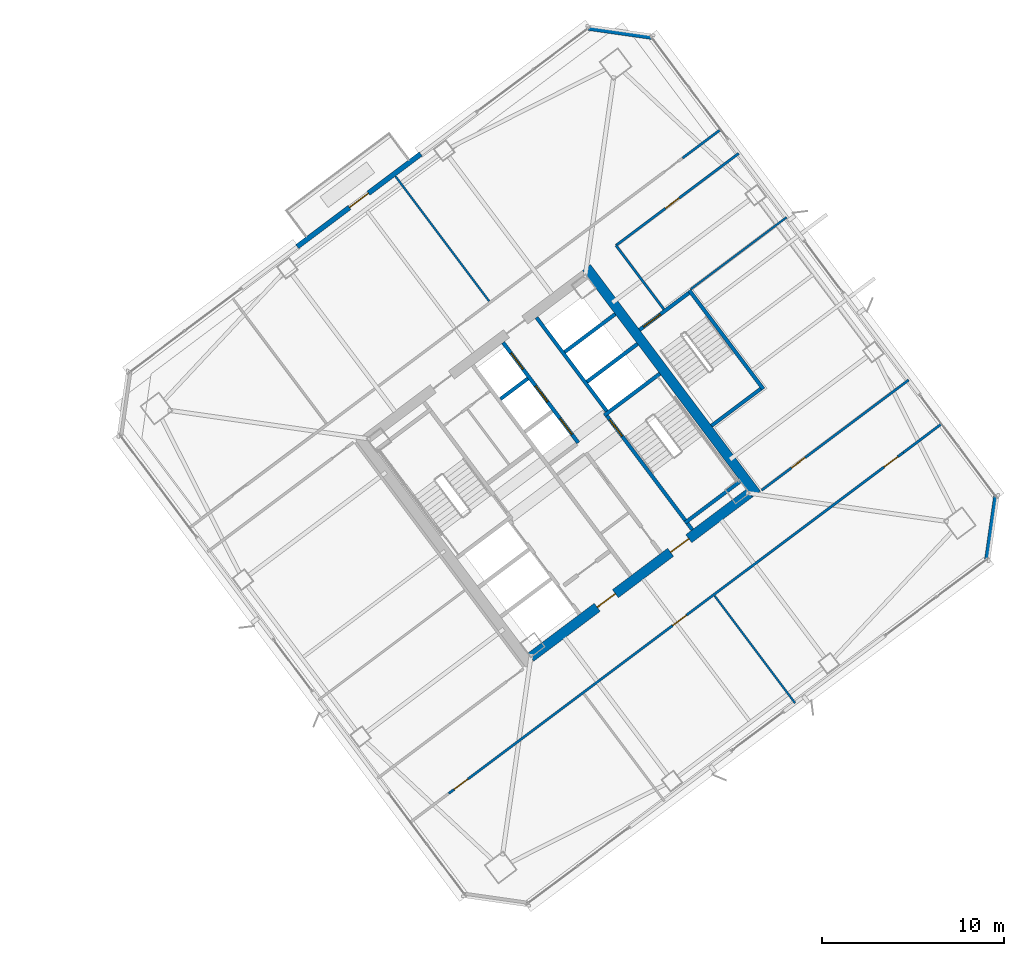
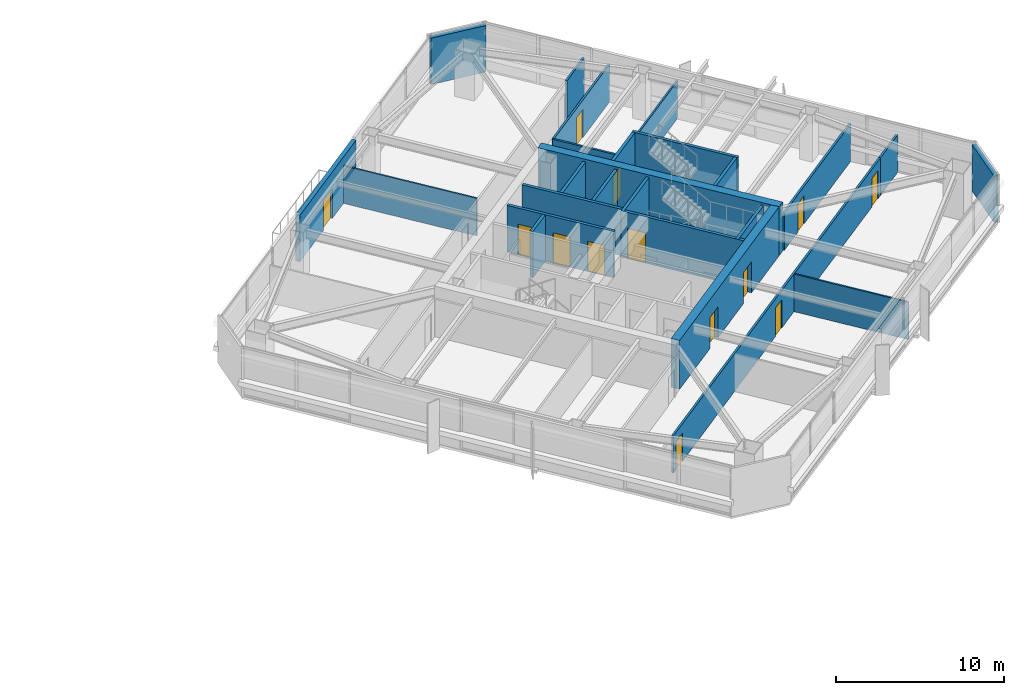
# One storey, part 39 of 48: 25 walls, 13 doors, 13 openings.
"""IFC4 building model written with IfcOpenShell, lengths in metres."""

from ifc_helpers import new_model, si_unit, direction, frame, frame_2d, origin, place, context, subcontext, project, spatial, rectangle, extrude, material, layer, layer_set, type_object, element, fill, save


model = new_model("IFC4")

# Units and contexts
model_context = context("Model", 3, precision=1e-05, world=origin(), true_north=direction((0.0, 1.0)))
body_context = subcontext(model_context, "Body", "Model", "MODEL_VIEW")
ifc_project = project(units=[si_unit("LENGTHUNIT", "METRE"), si_unit("AREAUNIT", "SQUARE_METRE"), si_unit("VOLUMEUNIT", "CUBIC_METRE"), si_unit("PLANEANGLEUNIT", "RADIAN"), si_unit("MASSUNIT", "GRAM", prefix="KILO")], contexts=[model_context])

# Site, building, storey
site_placement = place(None, origin())
site = spatial("IfcSite", under=ifc_project, at=site_placement, CompositionType="ELEMENT")
building_placement = place(site_placement, origin())
building = spatial("IfcBuilding", under=site, at=building_placement, Name="Tashvorn Skyway Center", CompositionType="ELEMENT")
storey_placement = place(building_placement, frame((0.0, 0.0, 125.050048828125)))
storey = spatial("IfcBuildingStorey", under=building, at=storey_placement, Name="L33", CompositionType="ELEMENT", Elevation=125.050048828125)

# Wall
ifc_material_1 = material(Name="Concrete C60/75", Category="concrete")
ifc_layer_1 = layer(ifc_material_1, 0.550048828125)
ifc_layer_set_1 = layer_set([ifc_layer_1], Name="Concrete C60/75")
wall_type_1 = type_object("IfcWallType", Name="WALL-CORE-550", PredefinedType="SHEAR", material=ifc_layer_set_1)
wall_1_placement = place(storey_placement, frame((115.56396484375, 42.923095703125, 0.0), z_axis=(0.0, 0.0, 1.0), x_axis=(0.600005007985, -0.799996243986, 0.0)))
element("IfcWall", 1, at=wall_1_placement, inside=storey, type_object=wall_type_1, Name="Tower 2 L33 East Core Shear Wall", PredefinedType="SHEAR", context=body_context, shape_type="SweptSolid", body=[
    extrude(rectangle(XDim=15.60009765625, YDim=0.550048828125, at=frame_2d((7.800048828125, 0.0))), origin(), (0.0, 0.0, 1.0), 3.550048828125),
])

# Wall, openings, doors
wall_2_placement = place(storey_placement, frame((124.5390625, 30.498046875, 0.0), z_axis=(0.0, 0.0, 1.0), x_axis=(-0.799998054672, -0.600002593761, 0.0)))
wall_2 = element("IfcWall", 2, at=wall_2_placement, inside=storey, type_object=wall_type_1, Name="Tower 2 L33 South Core Shear Wall", PredefinedType="SHEAR", context=body_context, shape_type="SweptSolid", body=[
    extrude(rectangle(XDim=15.06005859375, YDim=0.550048828125, at=frame_2d((7.530029296875, 0.0))), origin(), (0.0, 0.0, 1.0), 3.550048828125),
])
opening_1_placement = place(wall_2_placement, frame((9.22998046875, 0.0, 0.0)))
opening_1 = element("IfcOpeningElement", 3, at=opening_1_placement, cuts=wall_2, Name="Opening D-FFL-1250", PredefinedType="OPENING", context=body_context, shape_type="SweptSolid", body=[
    extrude(rectangle(XDim=1.25, YDim=2.25, at=frame_2d((0.625, 1.125))), frame((0.0, 0.284912109375, 0.0), z_axis=(0.0, -1.0, 0.0), x_axis=(1.0, 0.0, 0.0)), (0.0, 0.0, 1.0), 0.570068359375),
])
opening_2_placement = place(wall_2_placement, frame((4.179931640625, 0.0, 0.0)))
opening_2 = element("IfcOpeningElement", 4, at=opening_2_placement, cuts=wall_2, Name="Opening D-FFL-1250", PredefinedType="OPENING", context=body_context, shape_type="SweptSolid", body=[
    extrude(rectangle(XDim=1.25, YDim=2.25, at=frame_2d((0.625, 1.125))), frame((0.0, 0.284912109375, 0.0), z_axis=(0.0, -1.0, 0.0), x_axis=(1.0, 0.0, 0.0)), (0.0, 0.0, 1.0), 0.570068359375),
])
ifc_material_2 = material(Name="Hollow galvanized steel fire door assembly", Category="steel")
door_type_1 = type_object("IfcDoorType", Name="DOOR-FFL-1250", OperationType="NOTDEFINED", PredefinedType="DOOR", material=ifc_material_2)
door_1_placement = place(opening_1_placement, origin())
door_1 = element("IfcDoor", 5, at=door_1_placement, inside=storey, type_object=door_type_1, Name="Tower 2 L33 Core South Firefighting Exit Door", OperationType="SINGLE_SWING_LEFT", OverallHeight=2.25, OverallWidth=1.25, PredefinedType="DOOR", context=body_context, shape_type="SweptSolid", body=[
    extrude(rectangle(XDim=1.25, YDim=2.25, at=frame_2d((0.625, 1.125))), frame((0.0, 0.02490234375, 0.0), z_axis=(0.0, -1.0, 0.0), x_axis=(1.0, 0.0, 0.0)), (0.0, 0.0, 1.0), 0.050048828125),
])
fill(opening_1, door_1)
door_2_placement = place(opening_2_placement, origin())
door_2 = element("IfcDoor", 6, at=door_2_placement, inside=storey, type_object=door_type_1, Name="Tower 2 L33 Core South Lift Lobby Door", OperationType="SINGLE_SWING_RIGHT", OverallHeight=2.25, OverallWidth=1.25, PredefinedType="DOOR", context=body_context, shape_type="SweptSolid", body=[
    extrude(rectangle(XDim=1.25, YDim=2.25, at=frame_2d((0.625, 1.125))), frame((0.0, 0.02490234375, 0.0), z_axis=(0.0, -1.0, 0.0), x_axis=(1.0, 0.0, 0.0)), (0.0, 0.0, 1.0), 0.050048828125),
])
fill(opening_2, door_2)

# Wall, opening, door
ifc_material_3 = material(Name="Precast concrete C40/50", Category="concrete")
ifc_layer_2 = layer(ifc_material_3, 0.280029296875)
ifc_layer_set_2 = layer_set([ifc_layer_2], Name="Precast concrete C40/50")
wall_type_2 = type_object("IfcWallType", Name="WALL-EXT-280", PredefinedType="SOLIDWALL", material=ifc_layer_set_2)
wall_3_placement = place(storey_placement, frame((99.632080078125, 44.073974609375, 0.0), z_axis=(0.0, 0.0, 1.0), x_axis=(0.799986212866, 0.600018382406, 0.0)))
wall_3 = element("IfcWall", 7, at=wall_3_placement, inside=storey, type_object=wall_type_2, Name="Tower 2 L33 North Terrace Portal Wall", PredefinedType="SOLIDWALL", context=body_context, shape_type="SweptSolid", body=[
    extrude(rectangle(XDim=8.5, YDim=0.280029296875, at=frame_2d((4.25, 0.0))), origin(), (0.0, 0.0, 1.0), 3.369873046875),
])
opening_3_placement = place(wall_3_placement, frame((3.60009765625, 0.0, 0.0)))
opening_3 = element("IfcOpeningElement", 8, at=opening_3_placement, cuts=wall_3, Name="Opening D-TER-1300", PredefinedType="OPENING", context=body_context, shape_type="SweptSolid", body=[
    extrude(rectangle(XDim=1.300048828125, YDim=2.14990234375, at=frame_2d((0.64990234375, 1.074951171875))), frame((0.0, 0.14990234375, 0.0), z_axis=(0.0, -1.0, 0.0), x_axis=(1.0, 0.0, 0.0)), (0.0, 0.0, 1.0), 0.300048828125),
])
ifc_material_4 = material(Name="Thermally broken bronze-anodized aluminium 6063-T6", Category="aluminium")
door_type_2 = type_object("IfcDoorType", Name="DOOR-TERR-1300", OperationType="NOTDEFINED", PredefinedType="DOOR", material=ifc_material_4)
door_3_placement = place(opening_3_placement, origin())
door_3 = element("IfcDoor", 9, at=door_3_placement, inside=storey, type_object=door_type_2, Name="Tower 2 L33 Terrace Access Door", OperationType="SINGLE_SWING_RIGHT", OverallHeight=2.14990234375, OverallWidth=1.300048828125, PredefinedType="DOOR", context=body_context, shape_type="SweptSolid", body=[
    extrude(rectangle(XDim=1.300048828125, YDim=2.14990234375, at=frame_2d((0.64990234375, 1.074951171875))), frame((0.0, 0.02490234375, 0.0), z_axis=(0.0, -1.0, 0.0), x_axis=(1.0, 0.0, 0.0)), (0.0, 0.0, 1.0), 0.050048828125),
])
fill(opening_3, door_3)

# Walls
for number, where, z_axis, x_axis, name in (
    (10, (115.659912109375, 56.1201171875, 0.0), (0.0, 0.0, 1.0), (0.989949493661, -0.141421356237, 0.0), "Tower 2 L33 NE Precast Chamfer Wall"),
    (11, (138.1201171875, 30.340087890625, 0.0), (0.0, 0.0, 1.0), (-0.141421356237, -0.989949493661, 0.0), "Tower 2 L33 SE Precast Chamfer Wall"),
):
    element("IfcWall", number, at=place(storey_placement, frame(where, z_axis=z_axis, x_axis=x_axis)), inside=storey, type_object=wall_type_2, Name=name, PredefinedType="SOLIDWALL", context=body_context, shape_type="SweptSolid", body=[
        extrude(rectangle(XDim=3.53564453125, YDim=0.280029296875, at=frame_2d((1.767822265625, 0.0))), origin(), (0.0, 0.0, 1.0), 3.369873046875),
    ])
ifc_material_5 = material(Name="Gypsum board on cold-formed steel stud framing", Category="steel")
ifc_layer_3 = layer(ifc_material_5, 0.110107421875)
ifc_layer_set_3 = layer_set([ifc_layer_3], Name="Gypsum board on cold-formed steel stud framing")
wall_type_3 = type_object("IfcWallType", Name="WALL-PART-110", PredefinedType="PARTITIONING", material=ifc_layer_set_3)
wall_4_placement = place(storey_placement, frame((110.201904296875, 41.06396484375, 0.0), z_axis=(0.0, 0.0, 1.0), x_axis=(-0.599986373537, 0.800010219666, 0.0)))
element("IfcWall", 12, at=wall_4_placement, inside=storey, type_object=wall_type_3, Name="Tower 2 L33 North Suite Partition 2", PredefinedType="PARTITIONING", context=body_context, shape_type="SweptSolid", body=[
    extrude(rectangle(XDim=8.60009765625, YDim=0.110107421875, at=frame_2d((4.300048828125, 0.0))), origin(), (0.0, 0.0, 1.0), 2.722900390625),
])
wall_5_placement = place(storey_placement, frame((127.048095703125, 18.93603515625, 0.0), z_axis=(0.0, 0.0, 1.0), x_axis=(-0.599994706986, 0.800003969733, 0.0)))
element("IfcWall", 13, at=wall_5_placement, inside=storey, type_object=wall_type_3, Name="Tower 2 L33 South Suite Partition 2", PredefinedType="PARTITIONING", context=body_context, shape_type="SweptSolid", body=[
    extrude(rectangle(XDim=7.380126953125, YDim=0.110107421875, at=frame_2d((3.68994140625, 0.0))), origin(), (0.0, 0.0, 1.0), 2.722900390625),
])
wall_6_placement = place(storey_placement, frame((126.583984375, 45.68798828125, 0.0), z_axis=(0.0, 0.0, 1.0), x_axis=(-0.800004438899, -0.599994081423, 0.0)))
element("IfcWall", 14, at=wall_6_placement, inside=storey, type_object=wall_type_3, Name="Tower 2 L33 East Suite Partition 1", PredefinedType="PARTITIONING", context=body_context, shape_type="SweptSolid", body=[
    extrude(rectangle(XDim=6.60009765625, YDim=0.110107421875, at=frame_2d((3.300048828125, 0.0))), origin(), (0.0, 0.0, 1.0), 2.722900390625),
])
ifc_layer_4 = layer(ifc_material_5, 0.135009765625)
ifc_layer_set_4 = layer_set([ifc_layer_4], Name="Gypsum board on cold-formed steel stud framing")
wall_type_4 = type_object("IfcWallType", Name="WALL-PART-135", PredefinedType="PARTITIONING", material=ifc_layer_set_4)
wall_7_placement = place(storey_placement, frame((119.823974609375, 40.617919921875, 0.0), z_axis=(0.0, 0.0, 1.0), x_axis=(-0.599982243973, 0.800013316712, 0.0)))
element("IfcWall", 15, at=wall_7_placement, inside=storey, type_object=wall_type_4, Name="Tower 2 L33 Stair 3 Access Corridor Wall", PredefinedType="PARTITIONING", context=body_context, shape_type="SweptSolid", body=[
    extrude(rectangle(XDim=4.39990234375, YDim=0.135009765625, at=frame_2d((2.199951171875, 0.0))), origin(), (0.0, 0.0, 1.0), 2.722900390625),
])
wall_8_placement = place(storey_placement, frame((120.85009765625, 48.949951171875, 0.0), z_axis=(0.0, 0.0, 1.0), x_axis=(0.799977721118, 0.600029704027, 0.0)))
element("IfcWall", 16, at=wall_8_placement, inside=storey, type_object=wall_type_4, Name="Tower 2 L33 North-East Suite South Wall", PredefinedType="PARTITIONING", context=body_context, shape_type="SweptSolid", body=[
    extrude(rectangle(XDim=2.630126953125, YDim=0.135009765625, at=frame_2d((1.31494140625, 0.0))), origin(), (0.0, 0.0, 1.0), 2.722900390625),
])

# Wall, openings, doors
wall_9_placement = place(storey_placement, frame((133.011962890625, 32.73388671875, 0.0), z_axis=(0.0, 0.0, 1.0), x_axis=(-0.800003744006, -0.59999500796, 0.0)))
wall_9 = element("IfcWall", 17, at=wall_9_placement, inside=storey, type_object=wall_type_4, Name="Tower 2 L33 South Suite Wall", PredefinedType="PARTITIONING", context=body_context, shape_type="SweptSolid", body=[
    extrude(rectangle(XDim=31.2998046875, YDim=0.135009765625, at=frame_2d((15.64990234375, 0.0))), origin(), (0.0, 0.0, 1.0), 2.722900390625),
])
opening_4_placement = place(wall_9_placement, frame((29.969970703125, 0.0, 0.0)))
opening_4 = element("IfcOpeningElement", 18, at=opening_4_placement, cuts=wall_9, Name="Opening D-INT-950", PredefinedType="OPENING", context=body_context, shape_type="SweptSolid", body=[
    extrude(rectangle(XDim=0.949951171875, YDim=2.050048828125, at=frame_2d((0.47509765625, 1.02490234375))), frame((0.0, 0.077392578125, 0.0), z_axis=(0.0, -1.0, 0.0), x_axis=(1.0, 0.0, 0.0)), (0.0, 0.0, 1.0), 0.155029296875),
])
opening_5_placement = place(wall_9_placement, frame((14.938232421875, 0.0, 0.0)))
opening_5 = element("IfcOpeningElement", 19, at=opening_5_placement, cuts=wall_9, Name="Opening D-INT-950", PredefinedType="OPENING", context=body_context, shape_type="SweptSolid", body=[
    extrude(rectangle(XDim=0.949951171875, YDim=2.050048828125, at=frame_2d((0.47509765625, 1.02490234375))), frame((0.0, 0.077392578125, 0.0), z_axis=(0.0, -1.0, 0.0), x_axis=(1.0, 0.0, 0.0)), (0.0, 0.0, 1.0), 0.155029296875),
])
opening_6_placement = place(wall_9_placement, frame((0.3798828125, 0.0, 0.0)))
opening_6 = element("IfcOpeningElement", 20, at=opening_6_placement, cuts=wall_9, Name="Opening D-INT-950", PredefinedType="OPENING", context=body_context, shape_type="SweptSolid", body=[
    extrude(rectangle(XDim=0.949951171875, YDim=2.050048828125, at=frame_2d((0.47509765625, 1.02490234375))), frame((0.0, 0.077392578125, 0.0), z_axis=(0.0, -1.0, 0.0), x_axis=(1.0, 0.0, 0.0)), (0.0, 0.0, 1.0), 0.155029296875),
])
ifc_material_6 = material(Name="Solid-core architectural oak veneer door")
door_type_3 = type_object("IfcDoorType", Name="DOOR-INT-950", OperationType="NOTDEFINED", PredefinedType="DOOR", material=ifc_material_6)
door_4_placement = place(opening_4_placement, origin())
door_4 = element("IfcDoor", 21, at=door_4_placement, inside=storey, type_object=door_type_3, Name="Tower 2 L33 Executive Suite Door", OperationType="SINGLE_SWING_RIGHT", OverallHeight=2.050048828125, OverallWidth=0.949951171875, PredefinedType="DOOR", context=body_context, shape_type="SweptSolid", body=[
    extrude(rectangle(XDim=0.949951171875, YDim=2.050048828125, at=frame_2d((0.47509765625, 1.02490234375))), frame((0.0, 0.02490234375, 0.0), z_axis=(0.0, -1.0, 0.0), x_axis=(1.0, 0.0, 0.0)), (0.0, 0.0, 1.0), 0.050048828125),
])
fill(opening_4, door_4)
door_5_placement = place(opening_5_placement, origin())
door_5 = element("IfcDoor", 22, at=door_5_placement, inside=storey, type_object=door_type_3, Name="Tower 2 L33 Corporate Office Door", OperationType="SINGLE_SWING_LEFT", OverallHeight=2.050048828125, OverallWidth=0.949951171875, PredefinedType="DOOR", context=body_context, shape_type="SweptSolid", body=[
    extrude(rectangle(XDim=0.949951171875, YDim=2.050048828125, at=frame_2d((0.47509765625, 1.02490234375))), frame((0.0, 0.02490234375, 0.0), z_axis=(0.0, -1.0, 0.0), x_axis=(1.0, 0.0, 0.0)), (0.0, 0.0, 1.0), 0.050048828125),
])
fill(opening_5, door_5)
door_6_placement = place(opening_6_placement, origin())
door_6 = element("IfcDoor", 23, at=door_6_placement, inside=storey, type_object=door_type_3, Name="Tower 2 L33 Corporate Office Door", OperationType="SINGLE_SWING_RIGHT", OverallHeight=2.050048828125, OverallWidth=0.949951171875, PredefinedType="DOOR", context=body_context, shape_type="SweptSolid", body=[
    extrude(rectangle(XDim=0.949951171875, YDim=2.050048828125, at=frame_2d((0.47509765625, 1.02490234375))), frame((0.0, 0.02490234375, 0.0), z_axis=(0.0, -1.0, 0.0), x_axis=(1.0, 0.0, 0.0)), (0.0, 0.0, 1.0), 0.050048828125),
])
fill(opening_6, door_6)

# Wall
wall_10_placement = place(storey_placement, frame((133.011962890625, 32.73388671875, 0.0), z_axis=(0.0, 0.0, 1.0), x_axis=(0.799977721118, 0.600029704027, 0.0)))
element("IfcWall", 24, at=wall_10_placement, inside=storey, type_object=wall_type_4, Name="Tower 2 L33 South-East Suite North Wall", PredefinedType="PARTITIONING", context=body_context, shape_type="SweptSolid", body=[
    extrude(rectangle(XDim=2.630126953125, YDim=0.135009765625, at=frame_2d((1.31494140625, 0.0))), origin(), (0.0, 0.0, 1.0), 2.722900390625),
])

# Wall, opening, door
wall_11_placement = place(storey_placement, frame((123.944091796875, 49.2080078125, 0.0), z_axis=(0.0, 0.0, 1.0), x_axis=(-0.799996532921, -0.600004622744, 0.0)))
wall_11 = element("IfcWall", 25, at=wall_11_placement, inside=storey, type_object=wall_type_4, Name="Tower 2 L33 East Suite North Wall", PredefinedType="PARTITIONING", context=body_context, shape_type="SweptSolid", body=[
    extrude(rectangle(XDim=8.449951171875, YDim=0.135009765625, at=frame_2d((4.22509765625, 0.0))), origin(), (0.0, 0.0, 1.0), 2.722900390625),
])
opening_7_placement = place(wall_11_placement, frame((4.10009765625, 0.0, 0.0)))
opening_7 = element("IfcOpeningElement", 26, at=opening_7_placement, cuts=wall_11, Name="Opening D-INT-950", PredefinedType="OPENING", context=body_context, shape_type="SweptSolid", body=[
    extrude(rectangle(XDim=0.949951171875, YDim=2.050048828125, at=frame_2d((0.47509765625, 1.02490234375))), frame((0.0, 0.077392578125, 0.0), z_axis=(0.0, -1.0, 0.0), x_axis=(1.0, 0.0, 0.0)), (0.0, 0.0, 1.0), 0.155029296875),
])
door_7_placement = place(opening_7_placement, origin())
door_7 = element("IfcDoor", 27, at=door_7_placement, inside=storey, type_object=door_type_3, Name="Tower 2 L33 Executive Suite Door", OperationType="SINGLE_SWING_LEFT", OverallHeight=2.050048828125, OverallWidth=0.949951171875, PredefinedType="DOOR", context=body_context, shape_type="SweptSolid", body=[
    extrude(rectangle(XDim=0.949951171875, YDim=2.050048828125, at=frame_2d((0.47509765625, 1.02490234375))), frame((0.0, 0.02490234375, 0.0), z_axis=(0.0, -1.0, 0.0), x_axis=(1.0, 0.0, 0.0)), (0.0, 0.0, 1.0), 0.050048828125),
])
fill(opening_7, door_7)

wall_12_placement = place(storey_placement, frame((125.2080078125, 30.656005859375, 0.0), z_axis=(0.0, 0.0, 1.0), x_axis=(0.799997105034, 0.600003859935, 0.0)))
wall_12 = element("IfcWall", 28, at=wall_12_placement, inside=storey, type_object=wall_type_4, Name="Tower 2 L33 East Suite South Wall", PredefinedType="PARTITIONING", context=body_context, shape_type="SweptSolid", body=[
    extrude(rectangle(XDim=10.119873046875, YDim=0.135009765625, at=frame_2d((5.06005859375, 0.0))), origin(), (0.0, 0.0, 1.0), 2.722900390625),
])
opening_8_placement = place(wall_12_placement, frame((2.044921875, 0.0, 0.0)))
opening_8 = element("IfcOpeningElement", 29, at=opening_8_placement, cuts=wall_12, Name="Opening D-INT-950", PredefinedType="OPENING", context=body_context, shape_type="SweptSolid", body=[
    extrude(rectangle(XDim=0.949951171875, YDim=2.050048828125, at=frame_2d((0.47509765625, 1.02490234375))), frame((0.0, 0.077392578125, 0.0), z_axis=(0.0, -1.0, 0.0), x_axis=(1.0, 0.0, 0.0)), (0.0, 0.0, 1.0), 0.155029296875),
])
door_8_placement = place(opening_8_placement, origin())
door_8 = element("IfcDoor", 30, at=door_8_placement, inside=storey, type_object=door_type_3, Name="Tower 2 L33 Public Restroom Door", OperationType="SINGLE_SWING_RIGHT", OverallHeight=2.050048828125, OverallWidth=0.949951171875, PredefinedType="DOOR", context=body_context, shape_type="SweptSolid", body=[
    extrude(rectangle(XDim=0.949951171875, YDim=2.050048828125, at=frame_2d((0.47509765625, 1.02490234375))), frame((0.0, 0.02490234375, 0.0), z_axis=(0.0, -1.0, 0.0), x_axis=(1.0, 0.0, 0.0)), (0.0, 0.0, 1.0), 0.050048828125),
])
fill(opening_8, door_8)

# Walls
ifc_material_7 = material(Name="Concrete C40/50", Category="concrete")
ifc_layer_5 = layer(ifc_material_7, 0.199951171875)
ifc_layer_set_5 = layer_set([ifc_layer_5], Name="Concrete C40/50")
wall_type_5 = type_object("IfcWallType", Name="WALL-SHAFT-200", PredefinedType="SOLIDWALL", material=ifc_layer_set_5)
for number, where, z_axis, x_axis, name in (
    (31, (115.590087890625, 36.6298828125, 0.0), (0.0, 0.0, 1.0), (0.799974743577, 0.600033673754, 0.0), "Tower 2 L33 High-Rise Shaft Divider"),
    (32, (114.360107421875, 38.27001953125, 0.0), (0.0, 0.0, 1.0), (0.800008418847, 0.599988774707, 0.0), "Tower 2 L33 High-Rise Shaft Divider"),
):
    element("IfcWall", number, at=place(storey_placement, frame(where, z_axis=z_axis, x_axis=x_axis)), inside=storey, type_object=wall_type_5, Name=name, PredefinedType="SOLIDWALL", context=body_context, shape_type="SweptSolid", body=[
        extrude(rectangle(XDim=3.47998046875, YDim=0.199951171875, at=frame_2d((1.739990234375, 0.0))), origin(), (0.0, 0.0, 1.0), 3.369873046875),
    ])

# Wall, openings, doors
wall_13_placement = place(storey_placement, frame((115.110107421875, 33.27001953125, 0.0), z_axis=(0.0, 0.0, 1.0), x_axis=(-0.600011322243, 0.799991508192, 0.0)))
wall_13 = element("IfcWall", 33, at=wall_13_placement, inside=storey, type_object=wall_type_5, Name="Tower 2 L33 Mid-Rise Core Wall", PredefinedType="SOLIDWALL", context=body_context, shape_type="SweptSolid", body=[
    extrude(rectangle(XDim=6.900146484375, YDim=0.199951171875, at=frame_2d((3.4501953125, 0.0))), origin(), (0.0, 0.0, 1.0), 3.369873046875),
])
opening_9_placement = place(wall_13_placement, frame((0.574951171875, 0.0, 0.0)))
opening_9 = element("IfcOpeningElement", 34, at=opening_9_placement, cuts=wall_13, Name="Opening LD-MR-T2-1-L33", PredefinedType="OPENING", context=body_context, shape_type="SweptSolid", body=[
    extrude(rectangle(XDim=1.10009765625, YDim=2.199951171875, at=frame_2d((0.550048828125, 1.10009765625))), frame((0.0, 0.10986328125, 0.0), z_axis=(0.0, -1.0, 0.0), x_axis=(1.0, 0.0, 0.0)), (0.0, 0.0, 1.0), 0.219970703125),
])
opening_10_placement = place(wall_13_placement, frame((2.824951171875, 0.0, 0.0)))
opening_10 = element("IfcOpeningElement", 35, at=opening_10_placement, cuts=wall_13, Name="Opening LD-MR-T2-2-L33", PredefinedType="OPENING", context=body_context, shape_type="SweptSolid", body=[
    extrude(rectangle(XDim=1.10009765625, YDim=2.199951171875, at=frame_2d((0.550048828125, 1.10009765625))), frame((0.0, 0.10986328125, 0.0), z_axis=(0.0, -1.0, 0.0), x_axis=(1.0, 0.0, 0.0)), (0.0, 0.0, 1.0), 0.219970703125),
])
opening_11_placement = place(wall_13_placement, frame((5.074951171875, 0.0, 0.0)))
opening_11 = element("IfcOpeningElement", 36, at=opening_11_placement, cuts=wall_13, Name="Opening LD-MR-T2-3-L33", PredefinedType="OPENING", context=body_context, shape_type="SweptSolid", body=[
    extrude(rectangle(XDim=1.10009765625, YDim=2.199951171875, at=frame_2d((0.550048828125, 1.10009765625))), frame((0.0, 0.10986328125, 0.0), z_axis=(0.0, -1.0, 0.0), x_axis=(1.0, 0.0, 0.0)), (0.0, 0.0, 1.0), 0.219970703125),
])
ifc_material_8 = material(Name="Stainless steel landing door", Category="steel")
door_type_4 = type_object("IfcDoorType", Name="DOOR-LIFT-1100", OperationType="SLIDING_TO_LEFT", PredefinedType="DOOR", material=ifc_material_8)
door_9_placement = place(opening_9_placement, origin())
door_9 = element("IfcDoor", 37, at=door_9_placement, inside=storey, type_object=door_type_4, Name="Lift MR-T2-1 L33 Landing Door", OperationType="SLIDING_TO_LEFT", OverallHeight=2.199951171875, OverallWidth=1.10009765625, PredefinedType="DOOR", context=body_context, shape_type="SweptSolid", body=[
    extrude(rectangle(XDim=1.10009765625, YDim=2.199951171875, at=frame_2d((0.550048828125, 1.10009765625))), frame((0.0, 0.02490234375, 0.0), z_axis=(0.0, -1.0, 0.0), x_axis=(1.0, 0.0, 0.0)), (0.0, 0.0, 1.0), 0.050048828125),
])
fill(opening_9, door_9)
door_10_placement = place(opening_10_placement, origin())
door_10 = element("IfcDoor", 38, at=door_10_placement, inside=storey, type_object=door_type_4, Name="Lift MR-T2-2 L33 Landing Door", OperationType="SLIDING_TO_LEFT", OverallHeight=2.199951171875, OverallWidth=1.10009765625, PredefinedType="DOOR", context=body_context, shape_type="SweptSolid", body=[
    extrude(rectangle(XDim=1.10009765625, YDim=2.199951171875, at=frame_2d((0.550048828125, 1.10009765625))), frame((0.0, 0.02490234375, 0.0), z_axis=(0.0, -1.0, 0.0), x_axis=(1.0, 0.0, 0.0)), (0.0, 0.0, 1.0), 0.050048828125),
])
fill(opening_10, door_10)
door_11_placement = place(opening_11_placement, origin())
door_11 = element("IfcDoor", 39, at=door_11_placement, inside=storey, type_object=door_type_4, Name="Lift MR-T2-3 L33 Landing Door", OperationType="SLIDING_TO_LEFT", OverallHeight=2.199951171875, OverallWidth=1.10009765625, PredefinedType="DOOR", context=body_context, shape_type="SweptSolid", body=[
    extrude(rectangle(XDim=1.10009765625, YDim=2.199951171875, at=frame_2d((0.550048828125, 1.10009765625))), frame((0.0, 0.02490234375, 0.0), z_axis=(0.0, -1.0, 0.0), x_axis=(1.0, 0.0, 0.0)), (0.0, 0.0, 1.0), 0.050048828125),
])
fill(opening_11, door_11)

# Wall
wall_14_placement = place(storey_placement, frame((110.825927734375, 35.681884765625, 0.0), z_axis=(0.0, 0.0, 1.0), x_axis=(0.799984418148, 0.600020775241, 0.0)))
element("IfcWall", 40, at=wall_14_placement, inside=storey, type_object=wall_type_5, Name="Tower 2 L33 Mid-Rise Shaft Divider", PredefinedType="SOLIDWALL", context=body_context, shape_type="SweptSolid", body=[
    extrude(rectangle(XDim=1.880126953125, YDim=0.199951171875, at=frame_2d((0.93994140625, 0.0))), origin(), (0.0, 0.0, 1.0), 3.369873046875),
])

# Wall, opening, door
ifc_layer_6 = layer(ifc_material_7, 0.199951171875)
ifc_layer_set_6 = layer_set([ifc_layer_6], Name="Concrete C40/50")
wall_type_6 = type_object("IfcWallType", Name="WALL-STSHF-200", PredefinedType="SHEAR", material=ifc_layer_set_6)
wall_15_placement = place(storey_placement, frame((116.56005859375, 34.919921875, 0.0), z_axis=(0.0, 0.0, 1.0), x_axis=(0.59999029481, -0.8000072788, 0.0)))
wall_15 = element("IfcWall", 41, at=wall_15_placement, inside=storey, type_object=wall_type_6, Name="Tower 2 L33 Stair 2 Enclosure Wall", PredefinedType="SHEAR", context=body_context, shape_type="SweptSolid", body=[
    extrude(rectangle(XDim=8.0498046875, YDim=0.199951171875, at=frame_2d((4.02490234375, 0.0))), origin(), (0.0, 0.0, 1.0), 3.369873046875),
])
opening_12_placement = place(wall_15_placement, frame((0.449951171875, 0.0, 0.0)))
opening_12 = element("IfcOpeningElement", 42, at=opening_12_placement, cuts=wall_15, Name="Opening D-ST-1150", PredefinedType="OPENING", context=body_context, shape_type="SweptSolid", body=[
    extrude(rectangle(XDim=1.14990234375, YDim=2.199951171875, at=frame_2d((0.574951171875, 1.10009765625))), frame((0.0, 0.10986328125, 0.0), z_axis=(0.0, -1.0, 0.0), x_axis=(1.0, 0.0, 0.0)), (0.0, 0.0, 1.0), 0.219970703125),
])
door_type_5 = type_object("IfcDoorType", Name="DOOR-STAIR-1150", OperationType="NOTDEFINED", PredefinedType="DOOR", material=ifc_material_2)
door_12_placement = place(opening_12_placement, origin())
door_12 = element("IfcDoor", 43, at=door_12_placement, inside=storey, type_object=door_type_5, Name="Tower 2 L33 Exit Stair 2 Door", OperationType="SINGLE_SWING_RIGHT", OverallHeight=2.199951171875, OverallWidth=1.14990234375, PredefinedType="DOOR", context=body_context, shape_type="SweptSolid", body=[
    extrude(rectangle(XDim=1.14990234375, YDim=2.199951171875, at=frame_2d((0.574951171875, 1.10009765625))), frame((0.0, 0.02490234375, 0.0), z_axis=(0.0, -1.0, 0.0), x_axis=(1.0, 0.0, 0.0)), (0.0, 0.0, 1.0), 0.050048828125),
])
fill(opening_12, door_12)

# Walls
for number, where, z_axis, x_axis, name in (
    (44, (116.5400390625, 34.780029296875, 0.0), (0.0, 0.0, 1.0), (0.800015298837, 0.599979601008, 0.0), "Tower 2 L33 Stair 2 North Wall"),
    (45, (120.97998046875, 28.860107421875, 0.0), (0.0, 0.0, 1.0), (0.800015298837, 0.599979601008, 0.0), "Tower 2 L33 Stair 2 South Wall"),
):
    element("IfcWall", number, at=place(storey_placement, frame(where, z_axis=z_axis, x_axis=x_axis)), inside=storey, type_object=wall_type_6, Name=name, PredefinedType="SHEAR", context=body_context, shape_type="SweptSolid", body=[
        extrude(rectangle(XDim=3.829833984375, YDim=0.199951171875, at=frame_2d((1.9150390625, 0.0))), origin(), (0.0, 0.0, 1.0), 3.369873046875),
    ])
wall_16_placement = place(storey_placement, frame((112.81005859375, 40.169921875, 0.0), z_axis=(0.0, 0.0, 1.0), x_axis=(0.599993943644, -0.800004542231, 0.0)))
element("IfcWall", 46, at=wall_16_placement, inside=storey, type_object=wall_type_6, Name="Tower 2 L33 High-Rise Lift Shaft Front Wall", PredefinedType="SHEAR", context=body_context, shape_type="SweptSolid", body=[
    extrude(rectangle(XDim=6.449951171875, YDim=0.199951171875, at=frame_2d((3.22509765625, 0.0))), origin(), (0.0, 0.0, 1.0), 3.369873046875),
])
wall_17_placement = place(storey_placement, frame((125.303955078125, 36.22802734375, 0.0), z_axis=(0.0, 0.0, 1.0), x_axis=(-0.59998851072, 0.800008616831, 0.0)))
element("IfcWall", 47, at=wall_17_placement, inside=storey, type_object=wall_type_6, Name="Tower 2 L33 Stair 3 Outer Wall", PredefinedType="SHEAR", context=body_context, shape_type="SweptSolid", body=[
    extrude(rectangle(XDim=6.7998046875, YDim=0.199951171875, at=frame_2d((3.39990234375, 0.0))), origin(), (0.0, 0.0, 1.0), 3.369873046875),
])

# Wall, opening, door
wall_18_placement = place(storey_placement, frame((121.2041015625, 41.528076171875, 0.0), z_axis=(0.0, 0.0, 1.0), x_axis=(-0.800017232136, -0.599977023131, 0.0)))
wall_18 = element("IfcWall", 48, at=wall_18_placement, inside=storey, type_object=wall_type_6, Name="Tower 2 L33 Stair 3 Enclosure Wall", PredefinedType="SHEAR", context=body_context, shape_type="SweptSolid", body=[
    extrude(rectangle(XDim=3.400146484375, YDim=0.199951171875, at=frame_2d((1.7001953125, 0.0))), origin(), (0.0, 0.0, 1.0), 3.369873046875),
])
opening_13_placement = place(wall_18_placement, frame((1.97509765625, 0.0, 0.0)))
opening_13 = element("IfcOpeningElement", 49, at=opening_13_placement, cuts=wall_18, Name="Opening D-ST-1150", PredefinedType="OPENING", context=body_context, shape_type="SweptSolid", body=[
    extrude(rectangle(XDim=1.14990234375, YDim=2.199951171875, at=frame_2d((0.574951171875, 1.10009765625))), frame((0.0, 0.10986328125, 0.0), z_axis=(0.0, -1.0, 0.0), x_axis=(1.0, 0.0, 0.0)), (0.0, 0.0, 1.0), 0.219970703125),
])
door_13_placement = place(opening_13_placement, origin())
door_13 = element("IfcDoor", 50, at=door_13_placement, inside=storey, type_object=door_type_5, Name="Tower 2 L33 Exit Stair 3 Door", OperationType="SINGLE_SWING_RIGHT", OverallHeight=2.199951171875, OverallWidth=1.14990234375, PredefinedType="DOOR", context=body_context, shape_type="SweptSolid", body=[
    extrude(rectangle(XDim=1.14990234375, YDim=2.199951171875, at=frame_2d((0.574951171875, 1.10009765625))), frame((0.0, 0.02490234375, 0.0), z_axis=(0.0, -1.0, 0.0), x_axis=(1.0, 0.0, 0.0)), (0.0, 0.0, 1.0), 0.050048828125),
])
fill(opening_13, door_13)

# Wall
wall_19_placement = place(storey_placement, frame((122.444091796875, 34.2080078125, 0.0), z_axis=(0.0, 0.0, 1.0), x_axis=(0.79999138319, 0.600011488909, 0.0)))
element("IfcWall", 51, at=wall_19_placement, inside=storey, type_object=wall_type_6, Name="Tower 2 L33 Stair 3 South Wall", PredefinedType="SHEAR", context=body_context, shape_type="SweptSolid", body=[
    extrude(rectangle(XDim=3.39990234375, YDim=0.199951171875, at=frame_2d((1.699951171875, 0.0))), origin(), (0.0, 0.0, 1.0), 3.369873046875),
])

save(model, "model.ifc")
